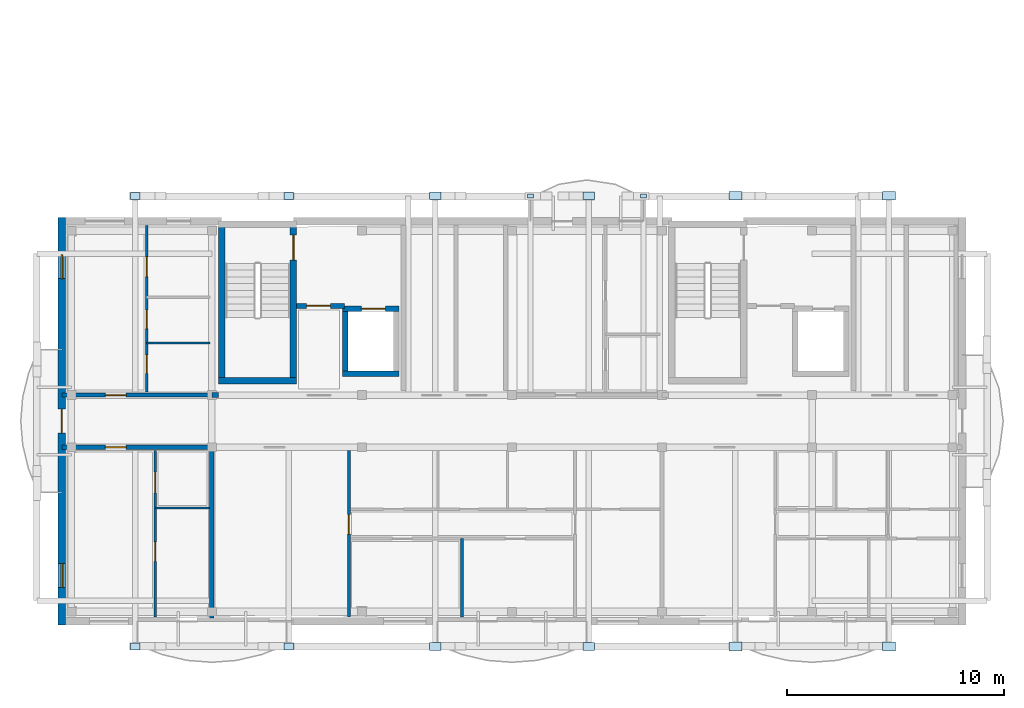
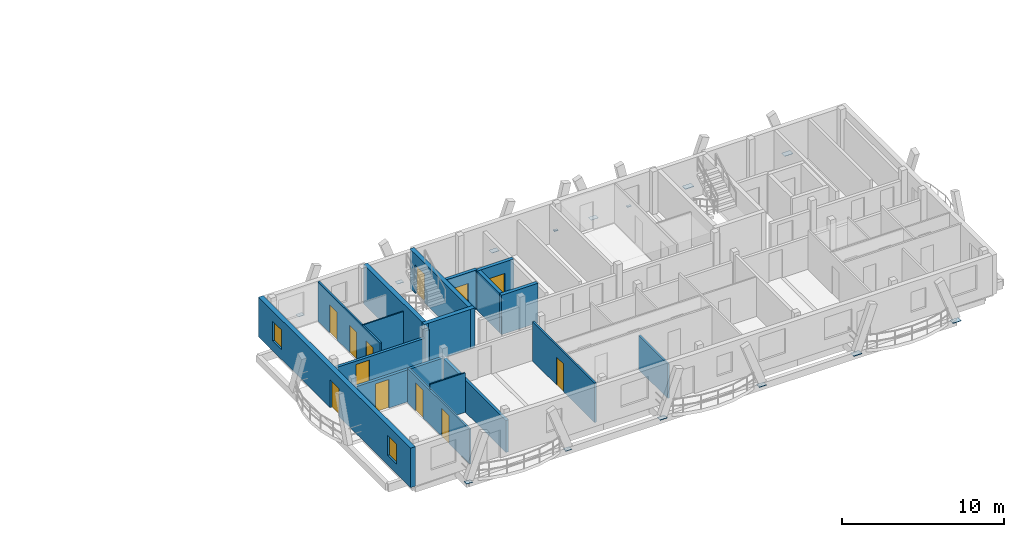
# One storey, part 4 of 10: 18 walls, 14 plates, 12 doors, 2 windows, 14 openings.
"""IFC4 building model written with IfcOpenShell, lengths in metres."""

from ifc_helpers import new_model, si_unit, direction, frame, frame_2d, origin, origin_with_axes, origin_2d, place, context, subcontext, project, spatial, rectangle, extrude, material, layer, layer_set, type_object, element, fill, save


model = new_model("IFC4")

# Units and contexts
model_context = context("Model", 3, precision=1e-05, world=origin(), true_north=direction((0.0, 1.0)))
body_context = subcontext(model_context, "Body", "Model", "MODEL_VIEW")
ifc_project = project(units=[si_unit("LENGTHUNIT", "METRE"), si_unit("AREAUNIT", "SQUARE_METRE"), si_unit("VOLUMEUNIT", "CUBIC_METRE"), si_unit("PLANEANGLEUNIT", "RADIAN"), si_unit("MASSUNIT", "GRAM", prefix="KILO")], contexts=[model_context])

# Site, building, storey
site_placement = place(None, origin())
site = spatial("IfcSite", under=ifc_project, at=site_placement, CompositionType="ELEMENT")
building_placement = place(site_placement, origin())
building = spatial("IfcBuilding", under=site, at=building_placement, Name="Zavelmont Quarter", CompositionType="ELEMENT")
storey_placement = place(building_placement, frame((0.0, 0.0, 43.199951171875)))
storey = spatial("IfcBuildingStorey", under=building, at=storey_placement, Name="L13", CompositionType="ELEMENT", Elevation=43.199951171875)

# Plates
ifc_material_1 = material(Name="Steel S355", Category="steel")
ifc_layer_1 = layer(ifc_material_1, 0.02001953125)
ifc_layer_set_1 = layer_set([ifc_layer_1], Name="Steel S355")
plate_type_1 = type_object("IfcPlateType", Name="NP01", PredefinedType="SHEET", material=ifc_layer_set_1)
for number, where, z_axis, x_axis, name in (
    (1, (21.552001953125, 19.56201171875, -0.2099609375), (0.0, 0.0, 1.0), (1.0, 0.0, 0.0), "L13 steel connection plate NP01 at 4/D"),
    (2, (26.748046875, 19.56201171875, -0.2099609375), (0.0, 0.0, 1.0), (1.0, 0.0, 0.0), "L13 steel connection plate NP01 at 5/D"),
):
    element("IfcPlate", number, at=place(storey_placement, frame(where, z_axis=z_axis, x_axis=x_axis)), inside=storey, type_object=plate_type_1, Name=name, PredefinedType="SHEET", context=body_context, shape_type="SweptSolid", body=[
        extrude(rectangle(XDim=0.280029296875, YDim=0.179931640625, at=origin_2d()), origin(), (0.0, 0.0, 1.0), 0.02001953125),
    ])
ifc_layer_2 = layer(ifc_material_1, 0.02490234375)
ifc_layer_set_2 = layer_set([ifc_layer_2], Name="Steel S355")
plate_type_2 = type_object("IfcPlateType", Name="NP03", PredefinedType="SHEET", material=ifc_layer_set_2)
for number, where, z_axis, x_axis, name in (
    (3, (3.37109375, -1.162109375, -0.21240234375), (0.0, 0.0, 1.0), (1.0, 0.0, 0.0), "L13 steel connection plate NP03 at 1/A"),
    (4, (10.428955078125, -1.162109375, -0.21240234375), (0.0, 0.0, 1.0), (1.0, 0.0, 0.0), "L13 steel connection plate NP03 at 3/A"),
    (5, (3.37109375, 19.56201171875, -0.21240234375), (0.0, 0.0, 1.0), (1.0, 0.0, 0.0), "L13 steel connection plate NP03 at 1/D"),
    (6, (10.428955078125, 19.56201171875, -0.21240234375), (0.0, 0.0, 1.0), (1.0, 0.0, 0.0), "L13 steel connection plate NP03 at 3/D"),
):
    element("IfcPlate", number, at=place(storey_placement, frame(where, z_axis=z_axis, x_axis=x_axis)), inside=storey, type_object=plate_type_2, Name=name, PredefinedType="SHEET", context=body_context, shape_type="SweptSolid", body=[
        extrude(rectangle(XDim=0.43994140625, YDim=0.320068359375, at=origin_2d()), origin(), (0.0, 0.0, 1.0), 0.02490234375),
    ])
ifc_layer_3 = layer(ifc_material_1, 0.028076171875)
ifc_layer_set_3 = layer_set([ifc_layer_3], Name="Steel S355")
plate_type_3 = type_object("IfcPlateType", Name="NP04", PredefinedType="SHEET", material=ifc_layer_set_3)
for number, where, z_axis, x_axis, name in (
    (7, (17.171142578125, -1.162109375, -0.2138671875), (0.0, 0.0, 1.0), (1.0, 0.0, 0.0), "L13 steel connection plate NP04 at 3/A"),
    (8, (24.22900390625, -1.162109375, -0.2138671875), (0.0, 0.0, 1.0), (1.0, 0.0, 0.0), "L13 steel connection plate NP04 at 5/A"),
    (9, (17.171142578125, 19.56201171875, -0.2138671875), (0.0, 0.0, 1.0), (1.0, 0.0, 0.0), "L13 steel connection plate NP04 at 3/D"),
    (10, (24.22900390625, 19.56201171875, -0.2138671875), (0.0, 0.0, 1.0), (1.0, 0.0, 0.0), "L13 steel connection plate NP04 at 5/D"),
):
    element("IfcPlate", number, at=place(storey_placement, frame(where, z_axis=z_axis, x_axis=x_axis)), inside=storey, type_object=plate_type_3, Name=name, PredefinedType="SHEET", context=body_context, shape_type="SweptSolid", body=[
        extrude(rectangle(XDim=0.52001953125, YDim=0.360107421875, at=origin_2d()), origin(), (0.0, 0.0, 1.0), 0.028076171875),
    ])
ifc_layer_4 = layer(ifc_material_1, 0.030029296875)
ifc_layer_set_4 = layer_set([ifc_layer_4], Name="Steel S355")
plate_type_4 = type_object("IfcPlateType", Name="NP05", PredefinedType="SHEET", material=ifc_layer_set_4)
for number, where, z_axis, x_axis, name in (
    (11, (30.97119140625, -1.162109375, -0.21484375), (0.0, 0.0, 1.0), (1.0, 0.0, 0.0), "L13 steel connection plate NP05 at 5/A"),
    (12, (38.02880859375, -1.162109375, -0.21484375), (0.0, 0.0, 1.0), (1.0, 0.0, 0.0), "L13 steel connection plate NP05 at 7/A"),
    (13, (30.97119140625, 19.56201171875, -0.21484375), (0.0, 0.0, 1.0), (1.0, 0.0, 0.0), "L13 steel connection plate NP05 at 5/D"),
    (14, (38.02880859375, 19.56201171875, -0.21484375), (0.0, 0.0, 1.0), (1.0, 0.0, 0.0), "L13 steel connection plate NP05 at 7/D"),
):
    element("IfcPlate", number, at=place(storey_placement, frame(where, z_axis=z_axis, x_axis=x_axis)), inside=storey, type_object=plate_type_4, Name=name, PredefinedType="SHEET", context=body_context, shape_type="SweptSolid", body=[
        extrude(rectangle(XDim=0.60009765625, YDim=0.39990234375, at=origin_2d()), origin(), (0.0, 0.0, 1.0), 0.030029296875),
    ])

# Wall, openings, door, windows
ifc_material_2 = material(Name="Natural Belgian limestone", Category="masonry")
ifc_layer_5 = layer(ifc_material_2, 0.340087890625)
ifc_layer_set_5 = layer_set([ifc_layer_5], Name="Natural Belgian limestone")
wall_type_1 = type_object("IfcWallType", Name="EW03", PredefinedType="STANDARD", material=ifc_layer_set_5)
wall_1_placement = place(storey_placement, frame((0.0, -0.169921875, 0.0), z_axis=(0.0, 0.0, 1.0), x_axis=(0.0, 1.0, 0.0)))
wall_1 = element("IfcWall", 15, at=wall_1_placement, inside=storey, type_object=wall_type_1, Name="L13 exterior limestone wall EW03", PredefinedType="STANDARD", context=body_context, shape_type="SweptSolid", body=[
    extrude(rectangle(XDim=18.739990234375, YDim=0.340087890625, at=frame_2d((9.3701171875, 0.0))), origin(), (0.0, 0.0, 1.0), 2.969970703125),
])
opening_1_placement = place(wall_1_placement, frame((8.820068359375, 0.0, 0.0)))
opening_1 = element("IfcOpeningElement", 16, at=opening_1_placement, cuts=wall_1, Name="Opening DR04B", PredefinedType="OPENING", context=body_context, shape_type="SweptSolid", body=[
    extrude(rectangle(XDim=1.10009765625, YDim=2.10009765625, at=frame_2d((0.550048828125, 1.050048828125))), frame((0.0, 0.18212890625, 0.0), z_axis=(0.0, -1.0, 0.0), x_axis=(1.0, 0.0, 0.0)), (0.0, 0.0, 1.0), 0.364013671875),
])
opening_2_placement = place(wall_1_placement, frame((1.719970703125, 0.0, 0.719970703125)))
opening_2 = element("IfcOpeningElement", 17, at=opening_2_placement, cuts=wall_1, Name="Opening WN09", PredefinedType="OPENING", context=body_context, shape_type="SweptSolid", body=[
    extrude(rectangle(XDim=1.10009765625, YDim=1.5, at=frame_2d((0.550048828125, 0.75))), frame((0.0, 0.18212890625, 0.0), z_axis=(0.0, -1.0, 0.0), x_axis=(1.0, 0.0, 0.0)), (0.0, 0.0, 1.0), 0.364013671875),
])
opening_3_placement = place(wall_1_placement, frame((15.919921875, 0.0, 0.719970703125)))
opening_3 = element("IfcOpeningElement", 18, at=opening_3_placement, cuts=wall_1, Name="Opening WN09", PredefinedType="OPENING", context=body_context, shape_type="SweptSolid", body=[
    extrude(rectangle(XDim=1.10009765625, YDim=1.5, at=frame_2d((0.550048828125, 0.75))), frame((0.0, 0.18212890625, 0.0), z_axis=(0.0, -1.0, 0.0), x_axis=(1.0, 0.0, 0.0)), (0.0, 0.0, 1.0), 0.364013671875),
])
ifc_material_3 = material(Name="Thermally broken aluminium and double safety glass", Category="aluminium")
door_type_1 = type_object("IfcDoorType", Name="DR04B", OperationType="NOTDEFINED", PredefinedType="DOOR", material=ifc_material_3)
door_1_placement = place(opening_1_placement, frame((1.10009765625, 0.0, 0.0), z_axis=(0.0, 0.0, 1.0), x_axis=(-1.0, 0.0, 0.0)))
door_1 = element("IfcDoor", 19, at=door_1_placement, inside=storey, type_object=door_type_1, Name="Block A L13 terrace or vase balcony door", OperationType="SINGLE_SWING_RIGHT", OverallHeight=2.10009765625, OverallWidth=1.10009765625, PredefinedType="DOOR", context=body_context, shape_type="SweptSolid", body=[
    extrude(rectangle(XDim=1.10009765625, YDim=2.10009765625, at=frame_2d((0.550048828125, 1.050048828125))), frame((0.0, 0.02490234375, 0.0), z_axis=(0.0, -1.0, 0.0), x_axis=(1.0, 0.0, 0.0)), (0.0, 0.0, 1.0), 0.050048828125),
])
fill(opening_1, door_1)
ifc_material_4 = material(Name="Double low-E insulated glazing in thermally broken aluminium frame", Category="aluminium")
window_type = type_object("IfcWindowType", Name="WN09", PartitioningType="SINGLE_PANEL", PredefinedType="WINDOW", material=ifc_material_4)
window_1_placement = place(opening_2_placement, origin_with_axes())
window_1 = element("IfcWindow", 20, at=window_1_placement, inside=storey, type_object=window_type, Name="L13 window WN09", OverallHeight=1.5, OverallWidth=1.10009765625, PartitioningType="SINGLE_PANEL", PredefinedType="WINDOW", context=body_context, shape_type="SweptSolid", body=[
    extrude(rectangle(XDim=1.10009765625, YDim=1.5, at=frame_2d((0.550048828125, 0.75))), frame((0.0, 0.030029296875, 0.0), z_axis=(0.0, -1.0, 0.0), x_axis=(1.0, 0.0, 0.0)), (0.0, 0.0, 1.0), 0.06005859375),
])
fill(opening_2, window_1)
window_2_placement = place(opening_3_placement, origin_with_axes())
window_2 = element("IfcWindow", 21, at=window_2_placement, inside=storey, type_object=window_type, Name="L13 window WN09", OverallHeight=1.5, OverallWidth=1.10009765625, PartitioningType="SINGLE_PANEL", PredefinedType="WINDOW", context=body_context, shape_type="SweptSolid", body=[
    extrude(rectangle(XDim=1.10009765625, YDim=1.5, at=frame_2d((0.550048828125, 0.75))), frame((0.0, 0.030029296875, 0.0), z_axis=(0.0, -1.0, 0.0), x_axis=(1.0, 0.0, 0.0)), (0.0, 0.0, 1.0), 0.06005859375),
])
fill(opening_3, window_2)

# Wall
ifc_material_5 = material(Name="Calcium-silicate blockwork and acoustic plaster", Category="masonry")
ifc_layer_6 = layer(ifc_material_5, 0.199951171875)
ifc_layer_set_6 = layer_set([ifc_layer_6], Name="Calcium-silicate blockwork and acoustic plaster")
wall_type_2 = type_object("IfcWallType", Name="IW01", PredefinedType="PARTITIONING", material=ifc_layer_set_6)
wall_2_placement = place(storey_placement, frame((6.89990234375, 7.85009765625, 0.0), z_axis=(0.0, 0.0, 1.0), x_axis=(0.0, -1.0, 0.0)))
element("IfcWall", 22, at=wall_2_placement, inside=storey, type_object=wall_type_2, Name="L13 Inter-dwelling compartment wall IW01", PredefinedType="PARTITIONING", context=body_context, shape_type="SweptSolid", body=[
    extrude(rectangle(XDim=7.7001953125, YDim=0.199951171875, at=frame_2d((3.85009765625, 0.0))), origin(), (0.0, 0.0, 1.0), 2.41015625),
])

# Wall, opening, door
wall_3_placement = place(storey_placement, frame((0.0, 8.0, 0.0), z_axis=(0.0, 0.0, 1.0), x_axis=(1.0, 0.0, 0.0)))
wall_3 = element("IfcWall", 23, at=wall_3_placement, inside=storey, type_object=wall_type_2, Name="L13 Corridor compartment wall IW01", PredefinedType="PARTITIONING", context=body_context, shape_type="SweptSolid", body=[
    extrude(rectangle(XDim=6.89990234375, YDim=0.199951171875, at=frame_2d((3.449951171875, 0.0))), origin(), (0.0, 0.0, 1.0), 2.41015625),
])
opening_4_placement = place(wall_3_placement, frame((2.0, 0.0, 0.0)))
opening_4 = element("IfcOpeningElement", 24, at=opening_4_placement, cuts=wall_3, Name="Opening DR02", PredefinedType="OPENING", context=body_context, shape_type="SweptSolid", body=[
    extrude(rectangle(XDim=0.949951171875, YDim=2.14990234375, at=frame_2d((0.47509765625, 1.074951171875))), frame((0.0, 0.11181640625, 0.0), z_axis=(0.0, -1.0, 0.0), x_axis=(1.0, 0.0, 0.0)), (0.0, 0.0, 1.0), 0.223876953125),
])
ifc_material_6 = material(Name="Solid-core oak fire leaf in steel frame", Category="steel")
door_type_2 = type_object("IfcDoorType", Name="DR02", OperationType="NOTDEFINED", PredefinedType="DOOR", material=ifc_material_6)
door_2_placement = place(opening_4_placement, frame((0.949951171875, 0.0, 0.0), z_axis=(0.0, 0.0, 1.0), x_axis=(-1.0, 0.0, 0.0)))
door_2 = element("IfcDoor", 25, at=door_2_placement, inside=storey, type_object=door_type_2, Name="L13 door DR02", OperationType="SINGLE_SWING_LEFT", OverallHeight=2.14990234375, OverallWidth=0.949951171875, PredefinedType="DOOR", context=body_context, shape_type="SweptSolid", body=[
    extrude(rectangle(XDim=0.949951171875, YDim=2.14990234375, at=frame_2d((0.47509765625, 1.074951171875))), frame((0.0, 0.02490234375, 0.0), z_axis=(0.0, -1.0, 0.0), x_axis=(1.0, 0.0, 0.0)), (0.0, 0.0, 1.0), 0.050048828125),
])
fill(opening_4, door_2)

wall_4_placement = place(storey_placement, frame((0.0, 10.39990234375, 0.0), z_axis=(0.0, 0.0, 1.0), x_axis=(1.0, 0.0, 0.0)))
wall_4 = element("IfcWall", 26, at=wall_4_placement, inside=storey, type_object=wall_type_2, Name="L13 Corridor compartment wall IW01", PredefinedType="PARTITIONING", context=body_context, shape_type="SweptSolid", body=[
    extrude(rectangle(XDim=6.89990234375, YDim=0.199951171875, at=frame_2d((3.449951171875, 0.0))), origin(), (0.0, 0.0, 1.0), 2.41015625),
])
opening_5_placement = place(wall_4_placement, frame((2.0, 0.0, 0.0)))
opening_5 = element("IfcOpeningElement", 27, at=opening_5_placement, cuts=wall_4, Name="Opening DR02", PredefinedType="OPENING", context=body_context, shape_type="SweptSolid", body=[
    extrude(rectangle(XDim=0.949951171875, YDim=2.14990234375, at=frame_2d((0.47509765625, 1.074951171875))), frame((0.0, 0.11181640625, 0.0), z_axis=(0.0, -1.0, 0.0), x_axis=(1.0, 0.0, 0.0)), (0.0, 0.0, 1.0), 0.223876953125),
])
door_3_placement = place(opening_5_placement, origin_with_axes())
door_3 = element("IfcDoor", 28, at=door_3_placement, inside=storey, type_object=door_type_2, Name="L13 door DR02", OperationType="SINGLE_SWING_LEFT", OverallHeight=2.14990234375, OverallWidth=0.949951171875, PredefinedType="DOOR", context=body_context, shape_type="SweptSolid", body=[
    extrude(rectangle(XDim=0.949951171875, YDim=2.14990234375, at=frame_2d((0.47509765625, 1.074951171875))), frame((0.0, 0.02490234375, 0.0), z_axis=(0.0, -1.0, 0.0), x_axis=(1.0, 0.0, 0.0)), (0.0, 0.0, 1.0), 0.050048828125),
])
fill(opening_5, door_3)

ifc_material_7 = material(Name="Reinforced masonry fire compartment wall", Category="masonry")
ifc_layer_7 = layer(ifc_material_7, 0.22509765625)
ifc_layer_set_7 = layer_set([ifc_layer_7], Name="Reinforced masonry fire compartment wall")
wall_type_3 = type_object("IfcWallType", Name="IW02", PredefinedType="PARTITIONING", material=ifc_layer_set_7)
wall_5_placement = place(storey_placement, frame((10.800048828125, 14.5, 0.0), z_axis=(0.0, 0.0, 1.0), x_axis=(1.0, 0.0, 0.0)))
wall_5 = element("IfcWall", 29, at=wall_5_placement, inside=storey, type_object=wall_type_3, Name="L13 Firefighting lobby threshold wall IW02", PredefinedType="PARTITIONING", context=body_context, shape_type="SweptSolid", body=[
    extrude(rectangle(XDim=2.199951171875, YDim=0.22509765625, at=frame_2d((1.10009765625, 0.0))), origin(), (0.0, 0.0, 1.0), 2.969970703125),
])
opening_6_placement = place(wall_5_placement, frame((0.449951171875, 0.0, 0.0)))
opening_6 = element("IfcOpeningElement", 30, at=opening_6_placement, cuts=wall_5, Name="Opening DR10", PredefinedType="OPENING", context=body_context, shape_type="SweptSolid", body=[
    extrude(rectangle(XDim=1.10009765625, YDim=2.14990234375, at=frame_2d((0.550048828125, 1.074951171875))), frame((0.0, 0.12451171875, 0.0), z_axis=(0.0, -1.0, 0.0), x_axis=(1.0, 0.0, 0.0)), (0.0, 0.0, 1.0), 0.2490234375),
])
ifc_material_8 = material(Name="Painted steel lobby fire door", Category="steel")
door_type_3 = type_object("IfcDoorType", Name="DR10", OperationType="NOTDEFINED", PredefinedType="DOOR", material=ifc_material_8)
door_4_placement = place(opening_6_placement, origin_with_axes())
door_4 = element("IfcDoor", 31, at=door_4_placement, inside=storey, type_object=door_type_3, Name="Firefighting lobby fire door", OperationType="SINGLE_SWING_LEFT", OverallHeight=2.14990234375, OverallWidth=1.10009765625, PredefinedType="DOOR", context=body_context, shape_type="SweptSolid", body=[
    extrude(rectangle(XDim=1.10009765625, YDim=2.14990234375, at=frame_2d((0.550048828125, 1.074951171875))), frame((0.0, 0.02490234375, 0.0), z_axis=(0.0, -1.0, 0.0), x_axis=(1.0, 0.0, 0.0)), (0.0, 0.0, 1.0), 0.050048828125),
])
fill(opening_6, door_4)

# Wall
wall_6_placement = place(storey_placement, frame((6.89990234375, 10.39990234375, 0.0), z_axis=(0.0, 0.0, 1.0), x_axis=(1.0, 0.0, 0.0)))
element("IfcWall", 32, at=wall_6_placement, inside=storey, type_object=wall_type_3, Name="L13 Core corridor wall IW02", PredefinedType="PARTITIONING", context=body_context, shape_type="SweptSolid", body=[
    extrude(rectangle(XDim=0.300048828125, YDim=0.22509765625, at=frame_2d((0.14990234375, 0.0))), origin(), (0.0, 0.0, 1.0), 2.969970703125),
])

# Wall, openings, doors
ifc_material_9 = material(Name="Double gypsum board on acoustic steel stud", Category="steel")
ifc_layer_8 = layer(ifc_material_9, 0.125)
ifc_layer_set_8 = layer_set([ifc_layer_8], Name="Double gypsum board on acoustic steel stud")
wall_type_4 = type_object("IfcWallType", Name="IW03", PredefinedType="PARTITIONING", material=ifc_layer_set_8)
wall_7_placement = place(storey_placement, frame((4.300048828125, 7.85009765625, 0.0), z_axis=(0.0, 0.0, 1.0), x_axis=(0.0, -1.0, 0.0)))
wall_7 = element("IfcWall", 33, at=wall_7_placement, inside=storey, type_object=wall_type_4, Name="L13 Partition IW03", PredefinedType="PARTITIONING", context=body_context, shape_type="SweptSolid", body=[
    extrude(rectangle(XDim=7.650146484375, YDim=0.125, at=frame_2d((3.8251953125, 0.0))), origin(), (0.0, 0.0, 1.0), 2.590087890625),
])
opening_7_placement = place(wall_7_placement, frame((1.0, 0.0, 0.0)))
opening_7 = element("IfcOpeningElement", 34, at=opening_7_placement, cuts=wall_7, Name="Opening DR17", PredefinedType="OPENING", context=body_context, shape_type="SweptSolid", body=[
    extrude(rectangle(XDim=0.949951171875, YDim=2.10009765625, at=frame_2d((0.47509765625, 1.050048828125))), frame((0.0, 0.074462890625, 0.0), z_axis=(0.0, -1.0, 0.0), x_axis=(1.0, 0.0, 0.0)), (0.0, 0.0, 1.0), 0.14892578125),
])
opening_8_placement = place(wall_7_placement, frame((4.199951171875, 0.0, 0.0)))
opening_8 = element("IfcOpeningElement", 35, at=opening_8_placement, cuts=wall_7, Name="Opening DR05", PredefinedType="OPENING", context=body_context, shape_type="SweptSolid", body=[
    extrude(rectangle(XDim=0.89990234375, YDim=2.10009765625, at=frame_2d((0.449951171875, 1.050048828125))), frame((0.0, 0.074462890625, 0.0), z_axis=(0.0, -1.0, 0.0), x_axis=(1.0, 0.0, 0.0)), (0.0, 0.0, 1.0), 0.14892578125),
])
ifc_material_10 = material(Name="Engineered oak flush interior door")
door_type_4 = type_object("IfcDoorType", Name="DR05", OperationType="NOTDEFINED", PredefinedType="DOOR", material=ifc_material_10)
door_5_placement = place(opening_8_placement, frame((0.89990234375, 0.0, 0.0), z_axis=(0.0, 0.0, 1.0), x_axis=(-1.0, 0.0, 0.0)))
door_5 = element("IfcDoor", 36, at=door_5_placement, inside=storey, type_object=door_type_4, Name="L13 door DR05", OperationType="SINGLE_SWING_RIGHT", OverallHeight=2.10009765625, OverallWidth=0.89990234375, PredefinedType="DOOR", context=body_context, shape_type="SweptSolid", body=[
    extrude(rectangle(XDim=0.89990234375, YDim=2.10009765625, at=frame_2d((0.449951171875, 1.050048828125))), frame((0.0, 0.02490234375, 0.0), z_axis=(0.0, -1.0, 0.0), x_axis=(1.0, 0.0, 0.0)), (0.0, 0.0, 1.0), 0.050048828125),
])
fill(opening_8, door_5)
ifc_material_11 = material(Name="Accessible washroom flush door")
door_type_5 = type_object("IfcDoorType", Name="DR17", OperationType="NOTDEFINED", PredefinedType="DOOR", material=ifc_material_11)
door_6_placement = place(opening_7_placement, origin_with_axes())
door_6 = element("IfcDoor", 37, at=door_6_placement, inside=storey, type_object=door_type_5, Name="L13 door DR17", OperationType="SINGLE_SWING_LEFT", OverallHeight=2.10009765625, OverallWidth=0.949951171875, PredefinedType="DOOR", context=body_context, shape_type="SweptSolid", body=[
    extrude(rectangle(XDim=0.949951171875, YDim=2.10009765625, at=frame_2d((0.47509765625, 1.050048828125))), frame((0.0, 0.02490234375, 0.0), z_axis=(0.0, -1.0, 0.0), x_axis=(1.0, 0.0, 0.0)), (0.0, 0.0, 1.0), 0.050048828125),
])
fill(opening_7, door_6)

# Wall, opening, door
wall_8_placement = place(storey_placement, frame((13.199951171875, 7.85009765625, 0.0), z_axis=(0.0, 0.0, 1.0), x_axis=(0.0, -1.0, 0.0)))
wall_8 = element("IfcWall", 38, at=wall_8_placement, inside=storey, type_object=wall_type_4, Name="L13 Partition IW03", PredefinedType="PARTITIONING", context=body_context, shape_type="SweptSolid", body=[
    extrude(rectangle(XDim=7.650146484375, YDim=0.125, at=frame_2d((3.8251953125, 0.0))), origin(), (0.0, 0.0, 1.0), 2.969970703125),
])
opening_9_placement = place(wall_8_placement, frame((2.949951171875, 0.0, 0.0)))
opening_9 = element("IfcOpeningElement", 39, at=opening_9_placement, cuts=wall_8, Name="Opening DR05", PredefinedType="OPENING", context=body_context, shape_type="SweptSolid", body=[
    extrude(rectangle(XDim=0.89990234375, YDim=2.10009765625, at=frame_2d((0.449951171875, 1.050048828125))), frame((0.0, 0.074462890625, 0.0), z_axis=(0.0, -1.0, 0.0), x_axis=(1.0, 0.0, 0.0)), (0.0, 0.0, 1.0), 0.14892578125),
])
door_7_placement = place(opening_9_placement, frame((0.89990234375, 0.0, 0.0), z_axis=(0.0, 0.0, 1.0), x_axis=(-1.0, 0.0, 0.0)))
door_7 = element("IfcDoor", 40, at=door_7_placement, inside=storey, type_object=door_type_4, Name="L13 door DR05", OperationType="SINGLE_SWING_LEFT", OverallHeight=2.10009765625, OverallWidth=0.89990234375, PredefinedType="DOOR", context=body_context, shape_type="SweptSolid", body=[
    extrude(rectangle(XDim=0.89990234375, YDim=2.10009765625, at=frame_2d((0.449951171875, 1.050048828125))), frame((0.0, 0.02490234375, 0.0), z_axis=(0.0, -1.0, 0.0), x_axis=(1.0, 0.0, 0.0)), (0.0, 0.0, 1.0), 0.050048828125),
])
fill(opening_9, door_7)

# Wall
wall_9_placement = place(storey_placement, frame((18.39990234375, 3.800048828125, 0.0), z_axis=(0.0, 0.0, 1.0), x_axis=(0.0, -1.0, 0.0)))
element("IfcWall", 41, at=wall_9_placement, inside=storey, type_object=wall_type_4, Name="L13 Partition IW03", PredefinedType="PARTITIONING", context=body_context, shape_type="SweptSolid", body=[
    extrude(rectangle(XDim=3.60009765625, YDim=0.125, at=frame_2d((1.800048828125, 0.0))), origin(), (0.0, 0.0, 1.0), 2.590087890625),
])

# Wall, openings, doors
wall_10_placement = place(storey_placement, frame((3.89990234375, 10.550048828125, 0.0), z_axis=(0.0, 0.0, 1.0), x_axis=(0.0, 1.0, 0.0)))
wall_10 = element("IfcWall", 42, at=wall_10_placement, inside=storey, type_object=wall_type_4, Name="L13 Partition IW03", PredefinedType="PARTITIONING", context=body_context, shape_type="SweptSolid", body=[
    extrude(rectangle(XDim=7.64990234375, YDim=0.125, at=frame_2d((3.824951171875, 0.0))), origin(), (0.0, 0.0, 1.0), 2.969970703125),
])
opening_10_placement = place(wall_10_placement, frame((0.85009765625, 0.0, 0.0)))
opening_10 = element("IfcOpeningElement", 43, at=opening_10_placement, cuts=wall_10, Name="Opening DR16", PredefinedType="OPENING", context=body_context, shape_type="SweptSolid", body=[
    extrude(rectangle(XDim=0.85009765625, YDim=2.10009765625, at=frame_2d((0.425048828125, 1.050048828125))), frame((0.0, 0.074462890625, 0.0), z_axis=(0.0, -1.0, 0.0), x_axis=(1.0, 0.0, 0.0)), (0.0, 0.0, 1.0), 0.14892578125),
])
opening_11_placement = place(wall_10_placement, frame((2.89990234375, 0.0, 0.0)))
opening_11 = element("IfcOpeningElement", 44, at=opening_11_placement, cuts=wall_10, Name="Opening DR06", PredefinedType="OPENING", context=body_context, shape_type="SweptSolid", body=[
    extrude(rectangle(XDim=0.85009765625, YDim=2.050048828125, at=frame_2d((0.425048828125, 1.02490234375))), frame((0.0, 0.074462890625, 0.0), z_axis=(0.0, -1.0, 0.0), x_axis=(1.0, 0.0, 0.0)), (0.0, 0.0, 1.0), 0.14892578125),
])
opening_12_placement = place(wall_10_placement, frame((5.300048828125, 0.0, 0.0)))
opening_12 = element("IfcOpeningElement", 45, at=opening_12_placement, cuts=wall_10, Name="Opening DR05", PredefinedType="OPENING", context=body_context, shape_type="SweptSolid", body=[
    extrude(rectangle(XDim=0.89990234375, YDim=2.10009765625, at=frame_2d((0.449951171875, 1.050048828125))), frame((0.0, 0.074462890625, 0.0), z_axis=(0.0, -1.0, 0.0), x_axis=(1.0, 0.0, 0.0)), (0.0, 0.0, 1.0), 0.14892578125),
])
door_8_placement = place(opening_12_placement, origin_with_axes())
door_8 = element("IfcDoor", 46, at=door_8_placement, inside=storey, type_object=door_type_4, Name="L13 door DR05", OperationType="SINGLE_SWING_LEFT", OverallHeight=2.10009765625, OverallWidth=0.89990234375, PredefinedType="DOOR", context=body_context, shape_type="SweptSolid", body=[
    extrude(rectangle(XDim=0.89990234375, YDim=2.10009765625, at=frame_2d((0.449951171875, 1.050048828125))), frame((0.0, 0.02490234375, 0.0), z_axis=(0.0, -1.0, 0.0), x_axis=(1.0, 0.0, 0.0)), (0.0, 0.0, 1.0), 0.050048828125),
])
fill(opening_12, door_8)
ifc_material_12 = material(Name="Moisture-resistant painted wet-room door")
door_type_6 = type_object("IfcDoorType", Name="DR06", OperationType="NOTDEFINED", PredefinedType="DOOR", material=ifc_material_12)
door_9_placement = place(opening_11_placement, frame((0.85009765625, 0.0, 0.0), z_axis=(0.0, 0.0, 1.0), x_axis=(-1.0, 0.0, 0.0)))
door_9 = element("IfcDoor", 47, at=door_9_placement, inside=storey, type_object=door_type_6, Name="L13 door DR06", OperationType="SINGLE_SWING_RIGHT", OverallHeight=2.050048828125, OverallWidth=0.85009765625, PredefinedType="DOOR", context=body_context, shape_type="SweptSolid", body=[
    extrude(rectangle(XDim=0.85009765625, YDim=2.050048828125, at=frame_2d((0.425048828125, 1.02490234375))), frame((0.0, 0.02490234375, 0.0), z_axis=(0.0, -1.0, 0.0), x_axis=(1.0, 0.0, 0.0)), (0.0, 0.0, 1.0), 0.050048828125),
])
fill(opening_11, door_9)
door_type_7 = type_object("IfcDoorType", Name="DR16", OperationType="NOTDEFINED", PredefinedType="DOOR", material=ifc_material_10)
door_10_placement = place(opening_10_placement, origin_with_axes())
door_10 = element("IfcDoor", 48, at=door_10_placement, inside=storey, type_object=door_type_7, Name="L13 door DR16", OperationType="SINGLE_SWING_LEFT", OverallHeight=2.10009765625, OverallWidth=0.85009765625, PredefinedType="DOOR", context=body_context, shape_type="SweptSolid", body=[
    extrude(rectangle(XDim=0.85009765625, YDim=2.10009765625, at=frame_2d((0.425048828125, 1.050048828125))), frame((0.0, 0.02490234375, 0.0), z_axis=(0.0, -1.0, 0.0), x_axis=(1.0, 0.0, 0.0)), (0.0, 0.0, 1.0), 0.050048828125),
])
fill(opening_10, door_10)

# Walls
ifc_material_13 = material(Name="Moisture-resistant gypsum board on steel stud", Category="steel")
ifc_layer_9 = layer(ifc_material_13, 0.10009765625)
ifc_layer_set_9 = layer_set([ifc_layer_9], Name="Moisture-resistant gypsum board on steel stud")
wall_type_5 = type_object("IfcWallType", Name="IW04", PredefinedType="PARTITIONING", material=ifc_layer_set_9)
wall_11_placement = place(storey_placement, frame((4.300048828125, 5.199951171875, 0.0), z_axis=(0.0, 0.0, 1.0), x_axis=(1.0, 0.0, 0.0)))
element("IfcWall", 49, at=wall_11_placement, inside=storey, type_object=wall_type_5, Name="L13 Partition IW04", PredefinedType="PARTITIONING", context=body_context, shape_type="SweptSolid", body=[
    extrude(rectangle(XDim=2.5, YDim=0.10009765625, at=frame_2d((1.25, 0.0))), origin(), (0.0, 0.0, 1.0), 2.969970703125),
])
wall_12_placement = place(storey_placement, frame((3.89990234375, 12.800048828125, 0.0), z_axis=(0.0, 0.0, 1.0), x_axis=(1.0, 0.0, 0.0)))
element("IfcWall", 50, at=wall_12_placement, inside=storey, type_object=wall_type_5, Name="L13 Partition IW04", PredefinedType="PARTITIONING", context=body_context, shape_type="SweptSolid", body=[
    extrude(rectangle(XDim=2.900146484375, YDim=0.10009765625, at=frame_2d((1.4501953125, 0.0))), origin(), (0.0, 0.0, 1.0), 2.969970703125),
])
ifc_material_14 = material(Name="Concrete C40/50", Category="concrete")
ifc_layer_10 = layer(ifc_material_14, 0.300048828125)
ifc_layer_set_10 = layer_set([ifc_layer_10], Name="Concrete C40/50")
wall_type_6 = type_object("IfcWallType", Name="SW01", PredefinedType="SHEAR", material=ifc_layer_set_10)
wall_13_placement = place(storey_placement, frame((7.199951171875, 11.050048828125, 0.0), z_axis=(0.0, 0.0, 1.0), x_axis=(1.0, 0.0, 0.0)))
element("IfcWall", 51, at=wall_13_placement, inside=storey, type_object=wall_type_6, Name="L13 ST01 corridor shear wall SW01", PredefinedType="SHEAR", context=body_context, shape_type="SweptSolid", body=[
    extrude(rectangle(XDim=3.60009765625, YDim=0.300048828125, at=frame_2d((1.800048828125, 0.0))), origin(), (0.0, 0.0, 1.0), 2.969970703125),
])
wall_14_placement = place(storey_placement, frame((7.35009765625, 10.89990234375, 0.0), z_axis=(0.0, 0.0, 1.0), x_axis=(0.0, 1.0, 0.0)))
element("IfcWall", 52, at=wall_14_placement, inside=storey, type_object=wall_type_6, Name="L13 ST01 west shear wall SW01", PredefinedType="SHEAR", context=body_context, shape_type="SweptSolid", body=[
    extrude(rectangle(XDim=7.5, YDim=0.300048828125, at=frame_2d((3.75, 0.0))), origin(), (0.0, 0.0, 1.0), 2.969970703125),
])

# Wall, opening, door
wall_15_placement = place(storey_placement, frame((10.64990234375, 10.89990234375, 0.0), z_axis=(0.0, 0.0, 1.0), x_axis=(0.0, 1.0, 0.0)))
wall_15 = element("IfcWall", 53, at=wall_15_placement, inside=storey, type_object=wall_type_6, Name="L13 ST01 lobby shear wall SW01", PredefinedType="SHEAR", context=body_context, shape_type="SweptSolid", body=[
    extrude(rectangle(XDim=7.5, YDim=0.300048828125, at=frame_2d((3.75, 0.0))), origin(), (0.0, 0.0, 1.0), 2.969970703125),
])
opening_13_placement = place(wall_15_placement, frame((5.699951171875, 0.0, 0.0)))
opening_13 = element("IfcOpeningElement", 54, at=opening_13_placement, cuts=wall_15, Name="Opening DR09", PredefinedType="OPENING", context=body_context, shape_type="SweptSolid", body=[
    extrude(rectangle(XDim=1.14990234375, YDim=2.14990234375, at=frame_2d((0.574951171875, 1.074951171875))), frame((0.0, 0.162109375, 0.0), z_axis=(0.0, -1.0, 0.0), x_axis=(1.0, 0.0, 0.0)), (0.0, 0.0, 1.0), 0.323974609375),
])
ifc_material_15 = material(Name="Painted steel stair-core fire door", Category="steel")
door_type_8 = type_object("IfcDoorType", Name="DR09", OperationType="NOTDEFINED", PredefinedType="DOOR", material=ifc_material_15)
door_11_placement = place(opening_13_placement, origin_with_axes())
door_11 = element("IfcDoor", 55, at=door_11_placement, inside=storey, type_object=door_type_8, Name="ST01 protected stair door", OperationType="SINGLE_SWING_LEFT", OverallHeight=2.14990234375, OverallWidth=1.14990234375, PredefinedType="DOOR", context=body_context, shape_type="SweptSolid", body=[
    extrude(rectangle(XDim=1.14990234375, YDim=2.14990234375, at=frame_2d((0.574951171875, 1.074951171875))), frame((0.0, 0.02490234375, 0.0), z_axis=(0.0, -1.0, 0.0), x_axis=(1.0, 0.0, 0.0)), (0.0, 0.0, 1.0), 0.050048828125),
])
fill(opening_13, door_11)

ifc_layer_11 = layer(ifc_material_14, 0.25)
ifc_layer_set_11 = layer_set([ifc_layer_11], Name="Concrete C40/50")
wall_type_7 = type_object("IfcWallType", Name="SW02", PredefinedType="SHEAR", material=ifc_layer_set_11)
wall_16_placement = place(storey_placement, frame((12.89990234375, 14.375, 0.0), z_axis=(0.0, 0.0, 1.0), x_axis=(1.0, 0.0, 0.0)))
wall_16 = element("IfcWall", 56, at=wall_16_placement, inside=storey, type_object=wall_type_7, Name="L13 Lift FL01 landing shaft wall SW02", PredefinedType="SHEAR", context=body_context, shape_type="SweptSolid", body=[
    extrude(rectangle(XDim=2.60009765625, YDim=0.25, at=frame_2d((1.300048828125, 0.0))), origin(), (0.0, 0.0, 1.0), 2.969970703125),
])
opening_14_placement = place(wall_16_placement, frame((0.875, 0.0, 0.0)))
opening_14 = element("IfcOpeningElement", 57, at=opening_14_placement, cuts=wall_16, Name="Opening LD02", PredefinedType="OPENING", context=body_context, shape_type="SweptSolid", body=[
    extrude(rectangle(XDim=1.10009765625, YDim=2.10009765625, at=frame_2d((0.550048828125, 1.050048828125))), frame((0.0, 0.136962890625, 0.0), z_axis=(0.0, -1.0, 0.0), x_axis=(1.0, 0.0, 0.0)), (0.0, 0.0, 1.0), 0.27392578125),
])
ifc_material_16 = material(Name="Brushed stainless-steel firefighting lift landing door", Category="steel")
door_type_9 = type_object("IfcDoorType", Name="LD02", OperationType="SLIDING_TO_LEFT", PredefinedType="DOOR", material=ifc_material_16)
door_12_placement = place(opening_14_placement, origin_with_axes())
door_12 = element("IfcDoor", 58, at=door_12_placement, inside=storey, type_object=door_type_9, Name="Lift FL01 sliding landing door", OperationType="SLIDING_TO_LEFT", OverallHeight=2.10009765625, OverallWidth=1.10009765625, PredefinedType="DOOR", context=body_context, shape_type="SweptSolid", body=[
    extrude(rectangle(XDim=1.10009765625, YDim=2.10009765625, at=frame_2d((0.550048828125, 1.050048828125))), frame((0.0, 0.02490234375, 0.0), z_axis=(0.0, -1.0, 0.0), x_axis=(1.0, 0.0, 0.0)), (0.0, 0.0, 1.0), 0.050048828125),
])
fill(opening_14, door_12)

# Walls
wall_17_placement = place(storey_placement, frame((12.89990234375, 11.375, 0.0), z_axis=(0.0, 0.0, 1.0), x_axis=(1.0, 0.0, 0.0)))
element("IfcWall", 59, at=wall_17_placement, inside=storey, type_object=wall_type_7, Name="L13 Lift FL01 back shaft wall SW02", PredefinedType="SHEAR", context=body_context, shape_type="SweptSolid", body=[
    extrude(rectangle(XDim=2.60009765625, YDim=0.25, at=frame_2d((1.300048828125, 0.0))), origin(), (0.0, 0.0, 1.0), 2.969970703125),
])
wall_18_placement = place(storey_placement, frame((13.02490234375, 11.25, 0.0), z_axis=(0.0, 0.0, 1.0), x_axis=(0.0, 1.0, 0.0)))
element("IfcWall", 60, at=wall_18_placement, inside=storey, type_object=wall_type_7, Name="L13 Lift FL01 west shaft wall SW02", PredefinedType="SHEAR", context=body_context, shape_type="SweptSolid", body=[
    extrude(rectangle(XDim=3.25, YDim=0.25, at=frame_2d((1.625, 0.0))), origin(), (0.0, 0.0, 1.0), 2.969970703125),
])

save(model, "model.ifc")
